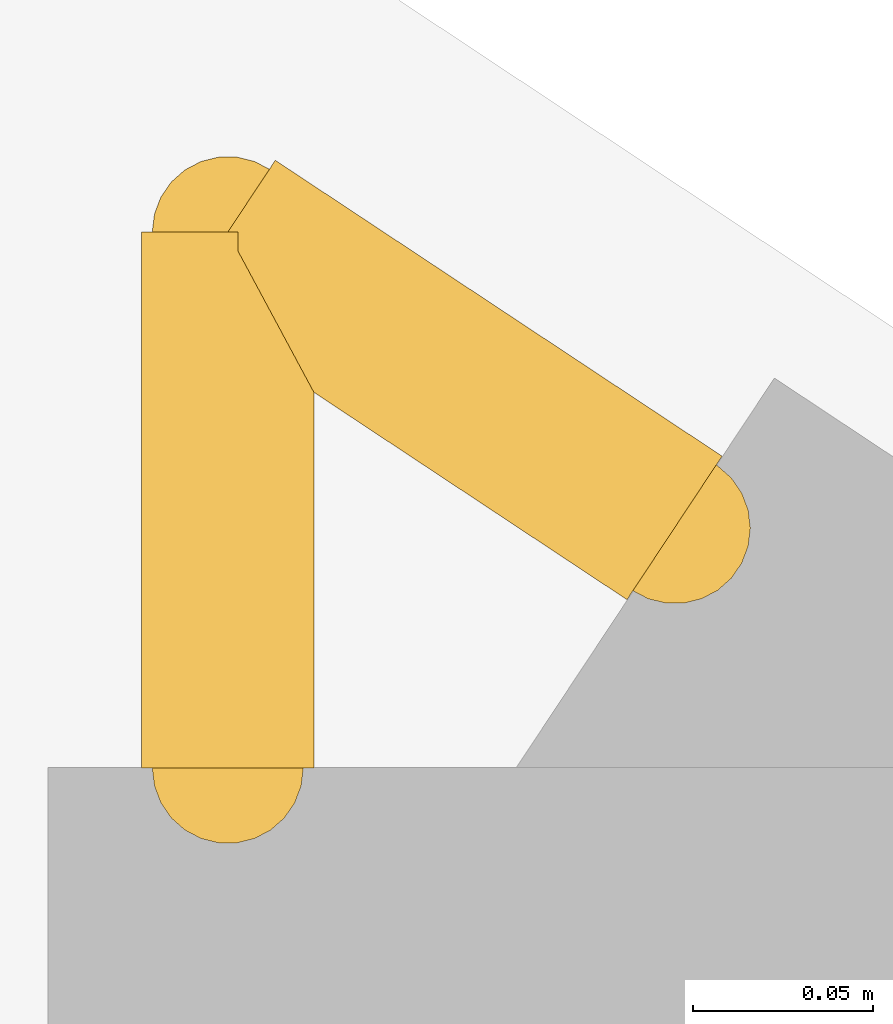
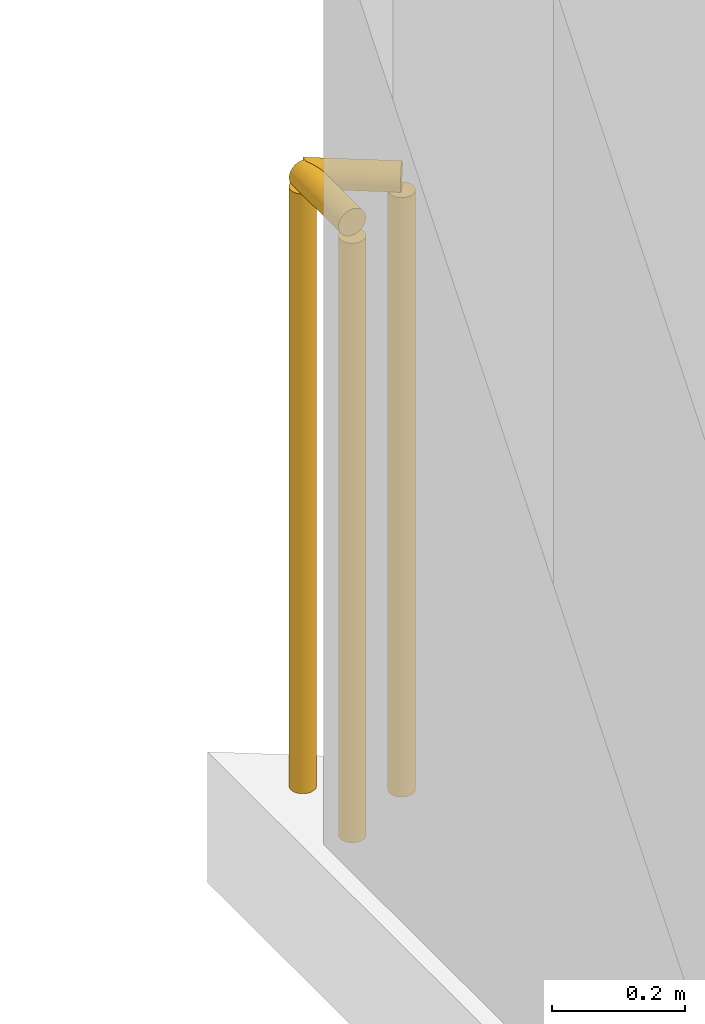
# One storey, part 15 of 16: 2 railings.
"""IFC4 building model written with IfcOpenShell, lengths in metres."""

from ifc_helpers import new_model, si_unit, direction, frame, origin, origin_2d, place, context, subcontext, project, spatial, circle, extrude, material, type_object, element, save


model = new_model("IFC4")

# Units and contexts
model_context = context("Model", 3, precision=1e-05, world=origin(), true_north=direction((0.0, 1.0)))
body_context = subcontext(model_context, "Body", "Model", "MODEL_VIEW")
ifc_project = project(units=[si_unit("LENGTHUNIT", "METRE"), si_unit("AREAUNIT", "SQUARE_METRE"), si_unit("VOLUMEUNIT", "CUBIC_METRE"), si_unit("PLANEANGLEUNIT", "RADIAN"), si_unit("MASSUNIT", "GRAM", prefix="KILO")], contexts=[model_context])

# Site, building, storey
site_placement = place(None, origin())
site = spatial("IfcSite", under=ifc_project, at=site_placement, CompositionType="ELEMENT")
building_placement = place(site_placement, origin())
building = spatial("IfcBuilding", under=site, at=building_placement, Name="Varnakote Quay Hospital", CompositionType="ELEMENT")
storey_placement = place(building_placement, frame((0.0, 0.0, 166.550048828125)))
storey = spatial("IfcBuildingStorey", under=building, at=storey_placement, Name="L41", CompositionType="ELEMENT", Elevation=166.550048828125)

# Railings
ifc_material = material(Name="Anodised aluminium 6063-T6 Bronze", Category="aluminium")
railing_type = type_object("IfcRailingType", Name="RLG-EXT-GUARD-1150", PredefinedType="GUARDRAIL", material=ifc_material)
railing_1_placement = place(storey_placement, frame((2.679931640625, 43.10205078125, 0.0)))
element("IfcRailing", 1, at=railing_1_placement, inside=storey, type_object=railing_type, Name="L41 Slab Edge Perimeter Safety Guard", PredefinedType="GUARDRAIL", context=body_context, shape_type="SweptSolid", body=[
    extrude(circle(Radius=0.02392578125, at=origin_2d()), frame((0.0, 0.0, 1.1259765625), z_axis=(0.0, 1.0, 0.0), x_axis=(-1.0, 0.0, 0.0)), (0.0, 0.0, 1.0), 0.14892578125),
    extrude(circle(Radius=0.02099609375, at=origin_2d()), origin(), (0.0, 0.0, 1.0), 1.101806640625),
    extrude(circle(Radius=0.02099609375, at=origin_2d()), frame((0.0, 0.14892578125, 0.0)), (0.0, 0.0, 1.0), 1.101806640625),
])
railing_2_placement = place(storey_placement, frame((2.679931640625, 43.2509765625, 0.0)))
element("IfcRailing", 2, at=railing_2_placement, inside=storey, type_object=railing_type, Name="L41 Slab Edge Perimeter Safety Guard", PredefinedType="GUARDRAIL", context=body_context, shape_type="SweptSolid", body=[
    extrude(circle(Radius=0.02392578125, at=origin_2d()), frame((0.0, 0.0, 1.1259765625), z_axis=(0.833810230731, -0.552051174374, 0.0), x_axis=(0.552051174374, 0.833810230731, 0.0)), (0.0, 0.0, 1.0), 0.14892578125),
    extrude(circle(Radius=0.02099609375, at=origin_2d()), origin(), (0.0, 0.0, 1.0), 1.101806640625),
    extrude(circle(Radius=0.02099609375, at=origin_2d()), frame((0.124267578125, -0.082275390625, 0.0)), (0.0, 0.0, 1.0), 1.101806640625),
])

save(model, "model.ifc")
